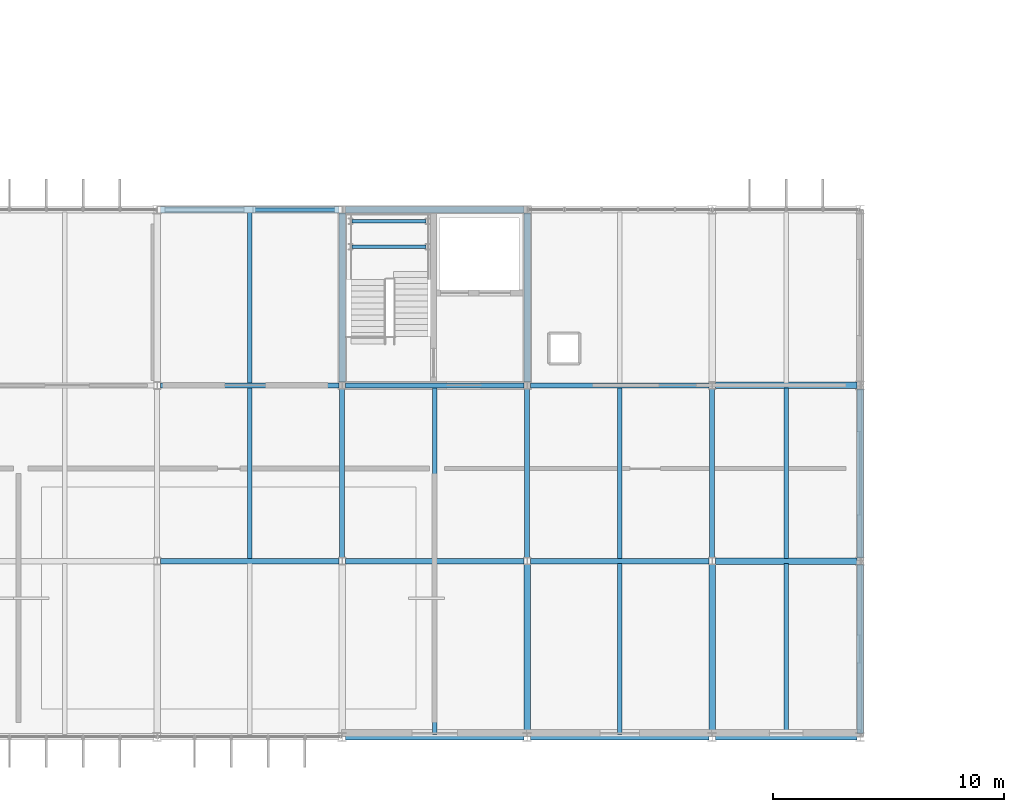
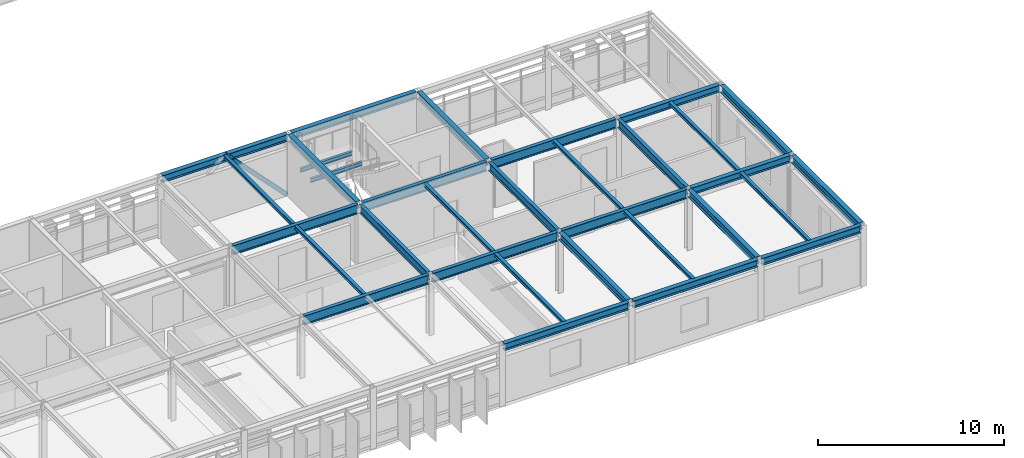
# One storey, part 17 of 45: 32 beams, 1 member.
"""IFC4 building model written with IfcOpenShell, lengths in metres."""

from ifc_helpers import new_model, si_unit, direction, frame, origin, origin_2d, place, context, subcontext, project, spatial, hollow_rectangle, i_section, extrude, material, material_profile, profile_set, type_object, element, save


model = new_model("IFC4")

# Units and contexts
model_context = context("Model", 3, precision=1e-05, world=origin(), true_north=direction((0.0, 1.0)))
body_context = subcontext(model_context, "Body", "Model", "MODEL_VIEW")
ifc_project = project(units=[si_unit("LENGTHUNIT", "METRE"), si_unit("AREAUNIT", "SQUARE_METRE"), si_unit("VOLUMEUNIT", "CUBIC_METRE"), si_unit("PLANEANGLEUNIT", "RADIAN"), si_unit("MASSUNIT", "GRAM", prefix="KILO")], contexts=[model_context])

# Site, building, storey
site_placement = place(None, origin())
site = spatial("IfcSite", under=ifc_project, at=site_placement, CompositionType="ELEMENT")
building_placement = place(site_placement, origin())
building = spatial("IfcBuilding", under=site, at=building_placement, Name="Zulena Civic Courthouse", CompositionType="ELEMENT")
storey_placement = place(building_placement, frame((0.0, 0.0, 29.39990234375)))
storey = spatial("IfcBuildingStorey", under=building, at=storey_placement, Name="L06", CompositionType="ELEMENT", Elevation=29.39990234375)

# Member
ifc_material_1 = material(Name="Steel ASTM A500 Grade C", Category="steel")
ifc_material_profile_1 = material_profile(ifc_material_1, hollow_rectangle(XDim=0.152099609375, YDim=0.25390625, WallThickness=0.0087890625, at=origin_2d()), Name="HSS10X6X3/8")
ifc_profile_set_1 = profile_set([ifc_material_profile_1], Name="Steel ASTM A500 Grade C")
member_type = type_object("IfcMemberType", Name="Brace_HSS10X6", PredefinedType="BRACE", material=ifc_profile_set_1)
member_placement = place(storey_placement, frame((43.85009765625, 22.800048828125, 0.010009765625), z_axis=(-0.693277822184, 0.0, 0.72067042486), x_axis=(0.0, -1.0, 0.0)))
element("IfcMember", 1, at=member_placement, inside=storey, type_object=member_type, Name="brace:V2:L06:1:1", PredefinedType="BRACE", context=body_context, shape_type="SweptSolid", body=[
    extrude(hollow_rectangle(XDim=0.152099609375, YDim=0.25390625, WallThickness=0.0087890625, at=origin_2d()), origin(), (0.0, 0.0, 1.0), 5.481201171875),
])

# Beams
ifc_material_2 = material(Name="Steel ASTM A992 Grade 50", Category="steel")
ifc_material_profile_2 = material_profile(ifc_material_2, i_section(OverallWidth=0.214111328125, OverallDepth=0.549072265625, WebThickness=0.0146484375, FlangeThickness=0.023681640625, FilletRadius=0.0126953125, at=origin_2d()), Name="W21X93")
ifc_profile_set_2 = profile_set([ifc_material_profile_2], Name="Steel ASTM A992 Grade 50")
beam_type_1 = type_object("IfcBeamType", Name="Girder_W21X93", PredefinedType="BEAM", material=ifc_profile_set_2)
for number, where, z_axis, x_axis, name in (
    (2, (44.0, 7.7451171875, 3.7255859375), (0.0, 1.0, 0.0), (-1.0, 0.0, 0.0), "beam:Y:V2:L06:44.0:7.6_15.2"),
    (3, (52.0, 7.7451171875, 3.7255859375), (0.0, 1.0, 0.0), (-1.0, 0.0, 0.0), "beam:Y:V2:L06:52.0:7.6_15.2"),
    (4, (60.0, 7.7451171875, 3.7255859375), (0.0, 1.0, 0.0), (-1.0, 0.0, 0.0), "beam:Y:V2:L06:60.0:7.6_15.2"),
):
    element("IfcBeam", number, at=place(storey_placement, frame(where, z_axis=z_axis, x_axis=x_axis)), inside=storey, type_object=beam_type_1, Name=name, PredefinedType="BEAM", context=body_context, shape_type="SweptSolid", body=[
        extrude(i_section(OverallWidth=0.214111328125, OverallDepth=0.549072265625, WebThickness=0.0146484375, FlangeThickness=0.023681640625, FilletRadius=0.0126953125, at=origin_2d()), origin(), (0.0, 0.0, 1.0), 7.309814453125),
    ])
ifc_material_profile_3 = material_profile(ifc_material_2, i_section(OverallWidth=0.22802734375, OverallDepth=0.60693359375, WebThickness=0.01123046875, FlangeThickness=0.017333984375, FilletRadius=0.0126953125, at=origin_2d()), Name="W24X76")
ifc_profile_set_3 = profile_set([ifc_material_profile_3], Name="Steel ASTM A992 Grade 50")
beam_type_2 = type_object("IfcBeamType", Name="Girder_W24X76", PredefinedType="BEAM", material=ifc_profile_set_3)
for number, where, z_axis, x_axis, name in (
    (5, (36.14501953125, 7.60009765625, 3.696533203125), (1.0, 0.0, 0.0), (0.0, 1.0, 0.0), "beam:X:V2:L06:7.6:36.0_44.0"),
    (6, (44.14501953125, 7.60009765625, 3.696533203125), (1.0, 0.0, 0.0), (0.0, 1.0, 0.0), "beam:X:V2:L06:7.6:44.0_52.0"),
    (7, (52.14501953125, 7.60009765625, 3.696533203125), (1.0, 0.0, 0.0), (0.0, 1.0, 0.0), "beam:X:V2:L06:7.6:52.0_60.0"),
    (8, (36.14501953125, 15.199951171875, 3.696533203125), (1.0, 0.0, 0.0), (0.0, 1.0, 0.0), "beam:X:V2:L06:15.2:36.0_44.0"),
    (9, (44.14501953125, 15.199951171875, 3.696533203125), (1.0, 0.0, 0.0), (0.0, 1.0, 0.0), "beam:X:V2:L06:15.2:44.0_52.0"),
    (10, (52.14501953125, 15.199951171875, 3.696533203125), (1.0, 0.0, 0.0), (0.0, 1.0, 0.0), "beam:X:V2:L06:15.2:52.0_60.0"),
):
    element("IfcBeam", number, at=place(storey_placement, frame(where, z_axis=z_axis, x_axis=x_axis)), inside=storey, type_object=beam_type_2, Name=name, PredefinedType="BEAM", context=body_context, shape_type="SweptSolid", body=[
        extrude(i_section(OverallWidth=0.22802734375, OverallDepth=0.60693359375, WebThickness=0.01123046875, FlangeThickness=0.017333984375, FilletRadius=0.0126953125, at=origin_2d()), origin(), (0.0, 0.0, 1.0), 7.7099609375),
    ])
ifc_material_profile_4 = material_profile(ifc_material_2, i_section(OverallWidth=0.14599609375, OverallDepth=0.258056640625, WebThickness=0.006103515625, FlangeThickness=0.009033203125, FilletRadius=0.007568359375, at=origin_2d()), Name="W10X22")
ifc_profile_set_4 = profile_set([ifc_material_profile_4], Name="Steel ASTM A992 Grade 50")
beam_type_3 = type_object("IfcBeamType", Name="Joist_W10X22", PredefinedType="JOIST", material=ifc_profile_set_4)
for number, where, z_axis, x_axis, name in (
    (11, (44.419921875, 21.199951171875, 1.691162109375), (1.0, 0.0, 0.0), (0.0, 1.0, 0.0), "beam:lnd:K2B:L06:0"),
    (12, (44.419921875, 22.300048828125, 1.691162109375), (1.0, 0.0, 0.0), (0.0, 1.0, 0.0), "beam:lnd:K2B:L06:1"),
):
    element("IfcBeam", number, at=place(storey_placement, frame(where, z_axis=z_axis, x_axis=x_axis)), inside=storey, type_object=beam_type_3, Name=name, PredefinedType="JOIST", context=body_context, shape_type="SweptSolid", body=[
        extrude(i_section(OverallWidth=0.14599609375, OverallDepth=0.258056640625, WebThickness=0.006103515625, FlangeThickness=0.009033203125, FilletRadius=0.007568359375, at=origin_2d()), origin(), (0.0, 0.0, 1.0), 3.2001953125),
    ])
ifc_material_profile_5 = material_profile(ifc_material_2, i_section(OverallWidth=0.202880859375, OverallDepth=0.202880859375, WebThickness=0.007080078125, FlangeThickness=0.010986328125, FilletRadius=0.007568359375, at=origin_2d()), Name="W8X31")
ifc_profile_set_5 = profile_set([ifc_material_profile_5], Name="Steel ASTM A992 Grade 50")
beam_type_4 = type_object("IfcBeamType", Name="Joist_W8X31", PredefinedType="JOIST", material=ifc_profile_set_5)
beam_1_placement = place(storey_placement, frame((40.0, 7.705078125, 3.898681640625), z_axis=(0.0, 1.0, 0.0), x_axis=(-1.0, 0.0, 0.0)))
element("IfcBeam", 13, at=beam_1_placement, inside=storey, type_object=beam_type_4, Name="joist:V2:L06:40.00:7.6_15.2", PredefinedType="JOIST", context=body_context, shape_type="SweptSolid", body=[
    extrude(i_section(OverallWidth=0.202880859375, OverallDepth=0.202880859375, WebThickness=0.007080078125, FlangeThickness=0.010986328125, FilletRadius=0.007568359375, at=origin_2d()), origin(), (0.0, 0.0, 1.0), 7.389892578125),
])
for number, where, z_axis, x_axis, name in (
    (14, (40.0, 15.304931640625, 3.898681640625), (0.0, 1.0, 0.0), (-1.0, 0.0, 0.0), "joist:V2:L06:40.00:15.2_22.8"),
    (15, (48.0, 0.10498046875, 3.898681640625), (0.0, 1.0, 0.0), (-1.0, 0.0, 0.0), "joist:V2:L06:48.00:0.0_7.6"),
):
    element("IfcBeam", number, at=place(storey_placement, frame(where, z_axis=z_axis, x_axis=x_axis)), inside=storey, type_object=beam_type_4, Name=name, PredefinedType="JOIST", context=body_context, shape_type="SweptSolid", body=[
        extrude(i_section(OverallWidth=0.202880859375, OverallDepth=0.202880859375, WebThickness=0.007080078125, FlangeThickness=0.010986328125, FilletRadius=0.007568359375, at=origin_2d()), origin(), (0.0, 0.0, 1.0), 7.39013671875),
    ])
beam_2_placement = place(storey_placement, frame((48.0, 7.705078125, 3.898681640625), z_axis=(0.0, 1.0, 0.0), x_axis=(-1.0, 0.0, 0.0)))
element("IfcBeam", 16, at=beam_2_placement, inside=storey, type_object=beam_type_4, Name="joist:V2:L06:48.00:7.6_15.2", PredefinedType="JOIST", context=body_context, shape_type="SweptSolid", body=[
    extrude(i_section(OverallWidth=0.202880859375, OverallDepth=0.202880859375, WebThickness=0.007080078125, FlangeThickness=0.010986328125, FilletRadius=0.007568359375, at=origin_2d()), origin(), (0.0, 0.0, 1.0), 7.389892578125),
])
beam_3_placement = place(storey_placement, frame((56.0, 0.10498046875, 3.898681640625), z_axis=(0.0, 1.0, 0.0), x_axis=(-1.0, 0.0, 0.0)))
element("IfcBeam", 17, at=beam_3_placement, inside=storey, type_object=beam_type_4, Name="joist:V2:L06:56.00:0.0_7.6", PredefinedType="JOIST", context=body_context, shape_type="SweptSolid", body=[
    extrude(i_section(OverallWidth=0.202880859375, OverallDepth=0.202880859375, WebThickness=0.007080078125, FlangeThickness=0.010986328125, FilletRadius=0.007568359375, at=origin_2d()), origin(), (0.0, 0.0, 1.0), 7.39013671875),
])
beam_4_placement = place(storey_placement, frame((56.0, 7.705078125, 3.898681640625), z_axis=(0.0, 1.0, 0.0), x_axis=(-1.0, 0.0, 0.0)))
element("IfcBeam", 18, at=beam_4_placement, inside=storey, type_object=beam_type_4, Name="joist:V2:L06:56.00:7.6_15.2", PredefinedType="JOIST", context=body_context, shape_type="SweptSolid", body=[
    extrude(i_section(OverallWidth=0.202880859375, OverallDepth=0.202880859375, WebThickness=0.007080078125, FlangeThickness=0.010986328125, FilletRadius=0.007568359375, at=origin_2d()), origin(), (0.0, 0.0, 1.0), 7.389892578125),
])
beam_5_placement = place(storey_placement, frame((63.199951171875, 0.10498046875, 3.898681640625), z_axis=(0.0, 1.0, 0.0), x_axis=(-1.0, 0.0, 0.0)))
element("IfcBeam", 19, at=beam_5_placement, inside=storey, type_object=beam_type_4, Name="joist:V2:L06:63.20:0.0_7.6", PredefinedType="JOIST", context=body_context, shape_type="SweptSolid", body=[
    extrude(i_section(OverallWidth=0.202880859375, OverallDepth=0.202880859375, WebThickness=0.007080078125, FlangeThickness=0.010986328125, FilletRadius=0.007568359375, at=origin_2d()), origin(), (0.0, 0.0, 1.0), 7.39013671875),
])
beam_6_placement = place(storey_placement, frame((63.199951171875, 7.705078125, 3.898681640625), z_axis=(0.0, 1.0, 0.0), x_axis=(-1.0, 0.0, 0.0)))
element("IfcBeam", 20, at=beam_6_placement, inside=storey, type_object=beam_type_4, Name="joist:V2:L06:63.20:7.6_15.2", PredefinedType="JOIST", context=body_context, shape_type="SweptSolid", body=[
    extrude(i_section(OverallWidth=0.202880859375, OverallDepth=0.202880859375, WebThickness=0.007080078125, FlangeThickness=0.010986328125, FilletRadius=0.007568359375, at=origin_2d()), origin(), (0.0, 0.0, 1.0), 7.389892578125),
])
ifc_material_profile_6 = material_profile(ifc_material_2, i_section(OverallWidth=0.280029296875, OverallDepth=0.462890625, WebThickness=0.0107421875, FlangeThickness=0.017333984375, FilletRadius=0.01025390625, at=origin_2d()), Name="W18X76")
ifc_profile_set_6 = profile_set([ifc_material_profile_6], Name="Steel ASTM A992 Grade 50")
beam_type_5 = type_object("IfcBeamType", Name="Spandrel_W18X76", PredefinedType="SPANDREL", material=ifc_profile_set_6)
for number, where, z_axis, x_axis, name in (
    (21, (44.14501953125, 0.0, 3.7685546875), (1.0, 0.0, 0.0), (0.0, 1.0, 0.0), "beam:X:V2:L06:0.0:44.0_52.0"),
    (22, (52.14501953125, 0.0, 3.7685546875), (1.0, 0.0, 0.0), (0.0, 1.0, 0.0), "beam:X:V2:L06:0.0:52.0_60.0"),
):
    element("IfcBeam", number, at=place(storey_placement, frame(where, z_axis=z_axis, x_axis=x_axis)), inside=storey, type_object=beam_type_5, Name=name, PredefinedType="SPANDREL", context=body_context, shape_type="SweptSolid", body=[
        extrude(i_section(OverallWidth=0.280029296875, OverallDepth=0.462890625, WebThickness=0.0107421875, FlangeThickness=0.017333984375, FilletRadius=0.01025390625, at=origin_2d()), origin(), (0.0, 0.0, 1.0), 7.7099609375),
    ])
for number, where, z_axis, x_axis, name in (
    (23, (60.14501953125, 0.0, 3.7685546875), (1.0, 0.0, 0.0), (0.0, 1.0, 0.0), "beam:X:V2:L06:0.0:60.0_66.4"),
    (24, (60.14501953125, 7.60009765625, 3.7685546875), (1.0, 0.0, 0.0), (0.0, 1.0, 0.0), "beam:X:V2:L06:7.6:60.0_66.4"),
    (25, (60.14501953125, 15.199951171875, 3.7685546875), (1.0, 0.0, 0.0), (0.0, 1.0, 0.0), "beam:X:V2:L06:15.2:60.0_66.4"),
):
    element("IfcBeam", number, at=place(storey_placement, frame(where, z_axis=z_axis, x_axis=x_axis)), inside=storey, type_object=beam_type_5, Name=name, PredefinedType="SPANDREL", context=body_context, shape_type="SweptSolid", body=[
        extrude(i_section(OverallWidth=0.280029296875, OverallDepth=0.462890625, WebThickness=0.0107421875, FlangeThickness=0.017333984375, FilletRadius=0.01025390625, at=origin_2d()), origin(), (0.0, 0.0, 1.0), 6.10986328125),
    ])
for number, where, z_axis, x_axis, name in (
    (26, (36.14501953125, 22.800048828125, 3.7685546875), (1.0, 0.0, 0.0), (0.0, 1.0, 0.0), "beam:X:V2:L06:22.8:36.0_44.0"),
    (27, (44.14501953125, 22.800048828125, 3.7685546875), (1.0, 0.0, 0.0), (0.0, 1.0, 0.0), "beam:X:V2:L06:22.8:44.0_52.0"),
):
    element("IfcBeam", number, at=place(storey_placement, frame(where, z_axis=z_axis, x_axis=x_axis)), inside=storey, type_object=beam_type_5, Name=name, PredefinedType="SPANDREL", context=body_context, shape_type="SweptSolid", body=[
        extrude(i_section(OverallWidth=0.280029296875, OverallDepth=0.462890625, WebThickness=0.0107421875, FlangeThickness=0.017333984375, FilletRadius=0.01025390625, at=origin_2d()), origin(), (0.0, 0.0, 1.0), 7.7099609375),
    ])
for number, where, z_axis, x_axis, name in (
    (28, (44.0, 15.344970703125, 3.7685546875), (0.0, 1.0, 0.0), (-1.0, 0.0, 0.0), "beam:Y:V2:L06:44.0:15.2_22.8"),
    (29, (52.0, 0.14501953125, 3.7685546875), (0.0, 1.0, 0.0), (-1.0, 0.0, 0.0), "beam:Y:V2:L06:52.0:0.0_7.6"),
    (30, (52.0, 15.344970703125, 3.7685546875), (0.0, 1.0, 0.0), (-1.0, 0.0, 0.0), "beam:Y:V2:L06:52.0:15.2_22.8"),
    (31, (60.0, 0.14501953125, 3.7685546875), (0.0, 1.0, 0.0), (-1.0, 0.0, 0.0), "beam:Y:V2:L06:60.0:0.0_7.6"),
    (32, (66.39990234375, 0.14501953125, 3.7685546875), (0.0, 1.0, 0.0), (-1.0, 0.0, 0.0), "beam:Y:V2:L06:66.4:0.0_7.6"),
):
    element("IfcBeam", number, at=place(storey_placement, frame(where, z_axis=z_axis, x_axis=x_axis)), inside=storey, type_object=beam_type_5, Name=name, PredefinedType="SPANDREL", context=body_context, shape_type="SweptSolid", body=[
        extrude(i_section(OverallWidth=0.280029296875, OverallDepth=0.462890625, WebThickness=0.0107421875, FlangeThickness=0.017333984375, FilletRadius=0.01025390625, at=origin_2d()), origin(), (0.0, 0.0, 1.0), 7.31005859375),
    ])
beam_7_placement = place(storey_placement, frame((66.39990234375, 7.7451171875, 3.7685546875), z_axis=(0.0, 1.0, 0.0), x_axis=(-1.0, 0.0, 0.0)))
element("IfcBeam", 33, at=beam_7_placement, inside=storey, type_object=beam_type_5, Name="beam:Y:V2:L06:66.4:7.6_15.2", PredefinedType="SPANDREL", context=body_context, shape_type="SweptSolid", body=[
    extrude(i_section(OverallWidth=0.280029296875, OverallDepth=0.462890625, WebThickness=0.0107421875, FlangeThickness=0.017333984375, FilletRadius=0.01025390625, at=origin_2d()), origin(), (0.0, 0.0, 1.0), 7.309814453125),
])

save(model, "model.ifc")
